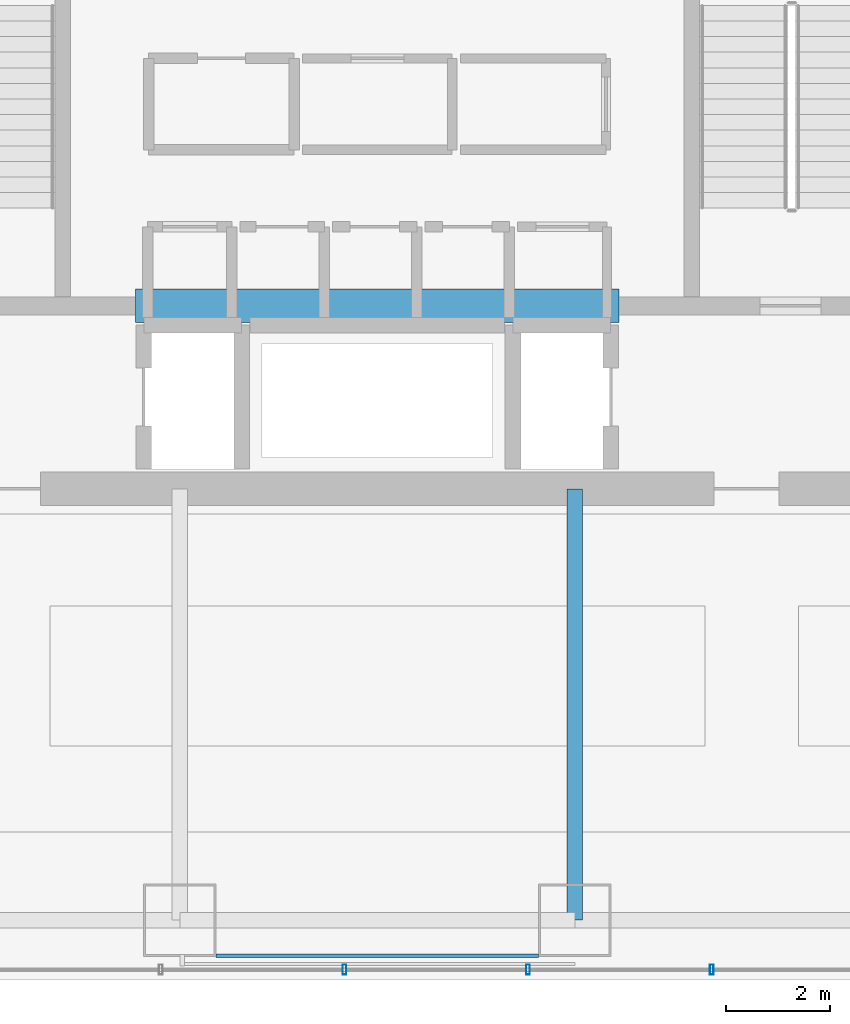
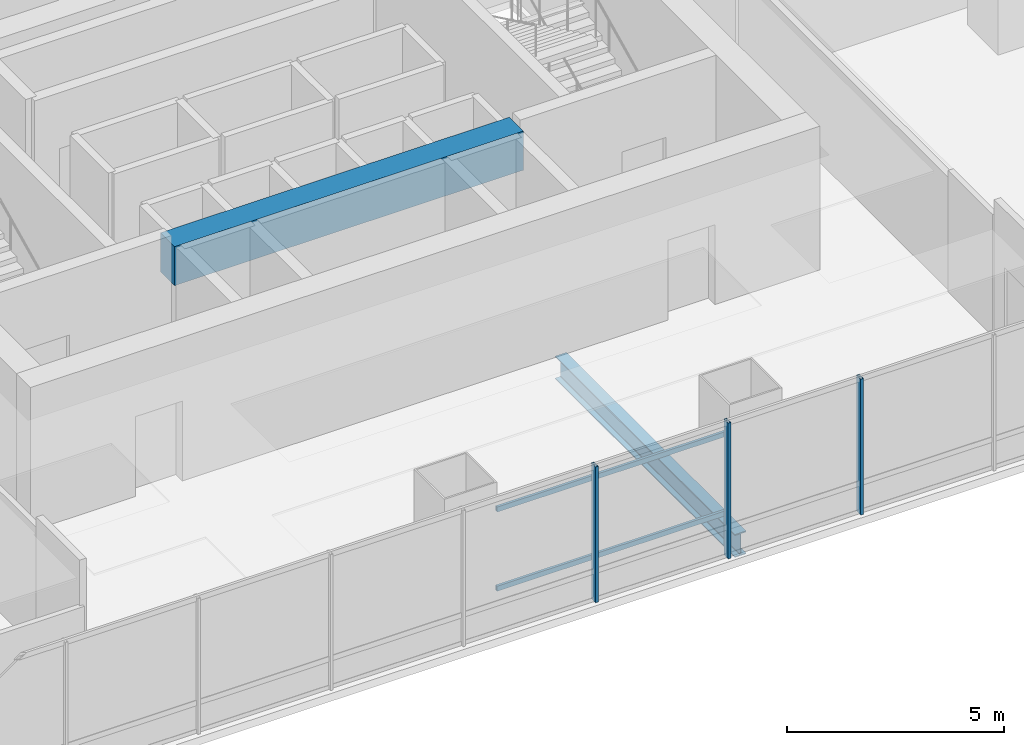
# One storey, part 9 of 38: 5 members, 2 beams, 1 element without a shape of its own.
"""IFC4 building model written with IfcOpenShell, lengths in metres."""

from ifc_helpers import new_model, si_unit, direction, frame, origin, origin_2d, place, context, subcontext, project, spatial, rectangle, hollow_rectangle, i_section, extrude, material, material_profile, profile_set, type_object, element, aggregate, save


model = new_model("IFC4")

# Units and contexts
model_context = context("Model", 3, precision=1e-05, world=origin(), true_north=direction((0.0, 1.0)))
body_context = subcontext(model_context, "Body", "Model", "MODEL_VIEW")
ifc_project = project(units=[si_unit("LENGTHUNIT", "METRE"), si_unit("AREAUNIT", "SQUARE_METRE"), si_unit("VOLUMEUNIT", "CUBIC_METRE"), si_unit("PLANEANGLEUNIT", "RADIAN"), si_unit("MASSUNIT", "GRAM", prefix="KILO")], contexts=[model_context])

# Site, building, storey
site_placement = place(None, origin())
site = spatial("IfcSite", under=ifc_project, at=site_placement, CompositionType="ELEMENT")
building_placement = place(site_placement, origin())
building = spatial("IfcBuilding", under=site, at=building_placement, Name="Punatoya Terracotta Tower", CompositionType="ELEMENT")
storey_placement = place(building_placement, frame((0.0, 0.0, 143.85009765625)))
storey = spatial("IfcBuildingStorey", under=building, at=storey_placement, Name="L33", CompositionType="ELEMENT", Elevation=143.85009765625)

# Beams
ifc_material_1 = material(Name="Steel S355", Category="steel")
ifc_material_profile_1 = material_profile(ifc_material_1, i_section(OverallWidth=0.300048828125, OverallDepth=0.64990234375, WebThickness=0.01611328125, FlangeThickness=0.031005859375, FilletRadius=0.01806640625, at=origin_2d()))
ifc_profile_set_1 = profile_set([ifc_material_profile_1], Name="Steel S355")
beam_type_1 = type_object("IfcBeamType", Name="BM-PRI-650", PredefinedType="BEAM", material=ifc_profile_set_1)
beam_1_placement = place(storey_placement, frame((3.800048828125, -17.5, -0.545166015625), z_axis=(0.0, 1.0, 0.0), x_axis=(-1.0, 0.0, 0.0)))
element("IfcBeam", 1, at=beam_1_placement, inside=storey, type_object=beam_type_1, Name="BM-L33-PR-S3", PredefinedType="BEAM", context=body_context, shape_type="SweptSolid", body=[
    extrude(i_section(OverallWidth=0.300048828125, OverallDepth=0.64990234375, WebThickness=0.01611328125, FlangeThickness=0.031005859375, FilletRadius=0.01806640625, at=origin_2d()), origin(), (0.0, 0.0, 1.0), 8.300048828125),
])
ifc_material_2 = material(Name="Concrete C60/75", Category="concrete")
ifc_material_profile_2 = material_profile(ifc_material_2, rectangle(XDim=0.64990234375, YDim=1.10009765625, at=origin_2d()))
ifc_profile_set_2 = profile_set([ifc_material_profile_2], Name="Concrete C60/75")
beam_type_2 = type_object("IfcBeamType", Name="BM-RC-1100", PredefinedType="LINTEL", material=ifc_profile_set_2)
beam_2_placement = place(storey_placement, frame((-4.64990234375, -5.679931640625, 3.27978515625), z_axis=(1.0, 0.0, 0.0), x_axis=(0.0, 1.0, 0.0)))
element("IfcBeam", 2, at=beam_2_placement, inside=storey, type_object=beam_type_2, Name="L33 Core Coupling Lintel CSW", PredefinedType="LINTEL", context=body_context, shape_type="SweptSolid", body=[
    extrude(rectangle(XDim=0.64990234375, YDim=1.10009765625, at=origin_2d()), origin(), (0.0, 0.0, 1.0), 9.2998046875),
])

# Curtain wall, members
ifc_material_3 = material(Name="Aluminium 6063-T6 + Double Low-E Glass", Category="aluminium")
curtain_wall_type = type_object("IfcCurtainWallType", Name="CW-M2", PredefinedType="NOTDEFINED", material=ifc_material_3)
curtain_wall_placement = place(storey_placement, origin())
curtain_wall = element("IfcCurtainWall", 3, at=curtain_wall_placement, inside=storey, type_object=curtain_wall_type, Name="L33 Curtain Wall CW-L33-S01-1", PredefinedType="NOTDEFINED")
ifc_material_4 = material(Name="Aluminium 6063-T6", Category="aluminium")
ifc_material_profile_3 = material_profile(ifc_material_4, hollow_rectangle(XDim=0.072021484375, YDim=0.195068359375, WallThickness=0.00439453125, at=origin_2d()))
ifc_profile_set_3 = profile_set([ifc_material_profile_3], Name="Aluminium 6063-T6")
member_type_1 = type_object("IfcMemberType", Name="CW-MUL-M2", PredefinedType="MULLION", material=ifc_profile_set_3)
member_1_placement = place(storey_placement, frame((-0.633056640625, -18.449951171875, 0.0), z_axis=(0.0, 0.0, 1.0), x_axis=(1.0, 0.0, 0.0)))
member_1 = element("IfcMember", 4, at=member_1_placement, type_object=member_type_1, Name="CW-L33-S01-1 Mullion 06", PredefinedType="MULLION", context=body_context, shape_type="SweptSolid", body=[
    extrude(hollow_rectangle(XDim=0.072021484375, YDim=0.195068359375, WallThickness=0.00439453125, at=origin_2d()), origin(), (0.0, 0.0, 1.0), 3.829833984375),
])
member_2_placement = place(storey_placement, frame((2.90087890625, -18.449951171875, 0.0), z_axis=(0.0, 0.0, 1.0), x_axis=(1.0, 0.0, 0.0)))
member_2 = element("IfcMember", 5, at=member_2_placement, type_object=member_type_1, Name="CW-L33-S01-1 Mullion 07", PredefinedType="MULLION", context=body_context, shape_type="SweptSolid", body=[
    extrude(hollow_rectangle(XDim=0.072021484375, YDim=0.195068359375, WallThickness=0.00439453125, at=origin_2d()), origin(), (0.0, 0.0, 1.0), 3.829833984375),
])
member_3_placement = place(storey_placement, frame((6.43505859375, -18.449951171875, 0.0), z_axis=(0.0, 0.0, 1.0), x_axis=(1.0, 0.0, 0.0)))
member_3 = element("IfcMember", 6, at=member_3_placement, type_object=member_type_1, Name="CW-L33-S01-1 Mullion 08", PredefinedType="MULLION", context=body_context, shape_type="SweptSolid", body=[
    extrude(hollow_rectangle(XDim=0.072021484375, YDim=0.195068359375, WallThickness=0.00439453125, at=origin_2d()), origin(), (0.0, 0.0, 1.0), 3.829833984375),
])
aggregate(curtain_wall, [member_1, member_2, member_3])

# Members
ifc_material_profile_4 = material_profile(ifc_material_1, hollow_rectangle(XDim=0.070068359375, YDim=0.139892578125, WallThickness=0.006103515625, at=origin_2d()))
ifc_profile_set_4 = profile_set([ifc_material_profile_4], Name="Steel S355")
member_type_2 = type_object("IfcMemberType", Name="MEM-BAG-RAIL", PredefinedType="USERDEFINED", material=ifc_profile_set_4)
for number, where, z_axis, x_axis, name in (
    (7, (-3.1005859375, -18.181884765625, 1.0498046875), (1.0, 0.0, 0.0), (0.0, 1.0, 0.0), "L33 Terracotta Baguette Carrier Rail BAG-L33-S-R1"),
    (8, (-3.1005859375, -18.181884765625, 3.27978515625), (1.0, 0.0, 0.0), (0.0, 1.0, 0.0), "L33 Terracotta Baguette Carrier Rail BAG-L33-S-R2"),
):
    element("IfcMember", number, at=place(storey_placement, frame(where, z_axis=z_axis, x_axis=x_axis)), inside=storey, type_object=member_type_2, Name=name, ObjectType="BAGUETTE", PredefinedType="USERDEFINED", context=body_context, shape_type="SweptSolid", body=[
        extrude(hollow_rectangle(XDim=0.070068359375, YDim=0.139892578125, WallThickness=0.006103515625, at=origin_2d()), origin(), (0.0, 0.0, 1.0), 6.201171875),
    ])

save(model, "model.ifc")
